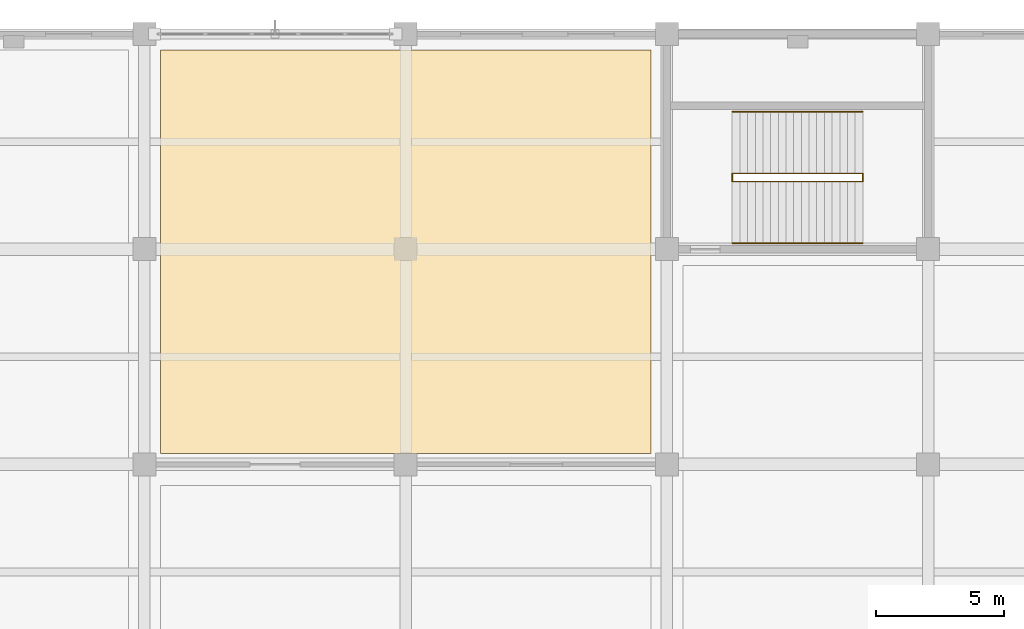
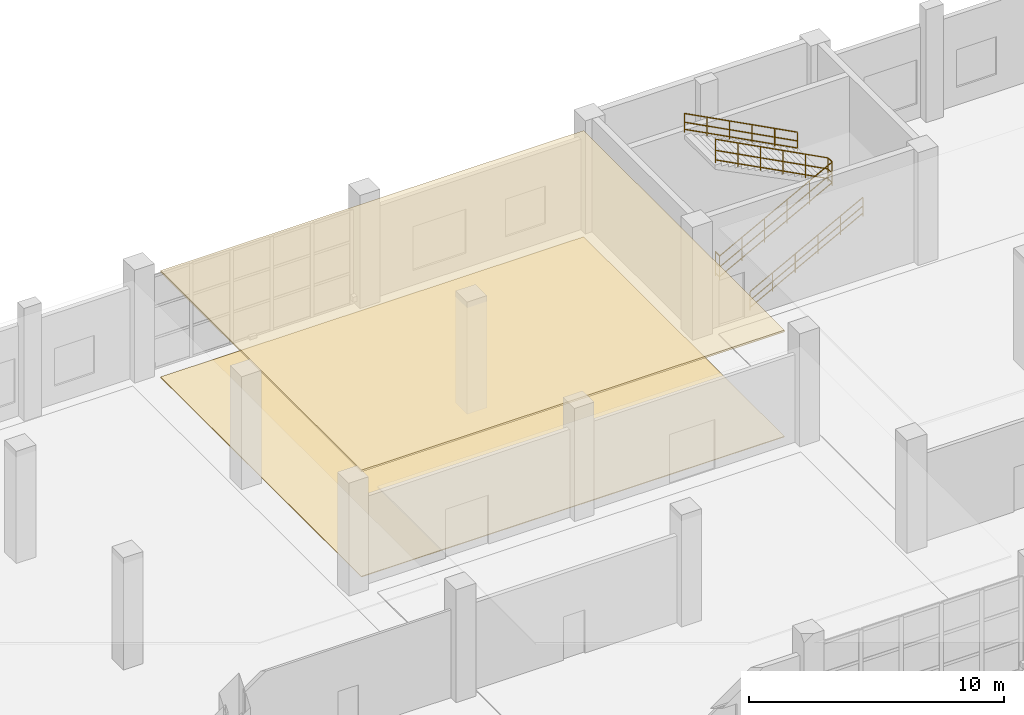
# One storey, part 174 of 175: 4 railings, 2 coverings.
"""IFC4 building model written with IfcOpenShell, lengths in metres."""

from ifc_helpers import new_model, si_unit, direction, frame, origin, origin_2d, place, context, subcontext, project, spatial, polyline, circle, outline, extrude, material, layer, layer_set, type_object, element, save


model = new_model("IFC4")

# Units and contexts
model_context = context("Model", 3, precision=1e-05, world=origin(), true_north=direction((0.0, 1.0)))
body_context = subcontext(model_context, "Body", "Model", "MODEL_VIEW")
ifc_project = project(units=[si_unit("LENGTHUNIT", "METRE"), si_unit("AREAUNIT", "SQUARE_METRE"), si_unit("VOLUMEUNIT", "CUBIC_METRE"), si_unit("PLANEANGLEUNIT", "RADIAN"), si_unit("MASSUNIT", "GRAM", prefix="KILO")], contexts=[model_context])

# Site, building, storey
site_placement = place(None, origin())
site = spatial("IfcSite", under=ifc_project, at=site_placement, CompositionType="ELEMENT")
building_placement = place(site_placement, origin())
building = spatial("IfcBuilding", under=site, at=building_placement, Name="Brelvane Convention Centre", CompositionType="ELEMENT")
storey_placement = place(building_placement, frame((0.0, 0.0, 5.39990234375)))
storey = spatial("IfcBuildingStorey", under=building, at=storey_placement, Name="L01", CompositionType="ELEMENT", Elevation=5.39990234375)

# Coverings
ifc_material_1 = material(Name="Perforated Anodised Aluminium Alloy 6063 Acoustic Baffle", Category="aluminium")
ifc_layer_1 = layer(ifc_material_1, 0.090087890625)
ifc_layer_set_1 = layer_set([ifc_layer_1], Name="Perforated Anodised Aluminium Alloy 6063 Acoustic Baffle")
covering_type_1 = type_object("IfcCoveringType", Name="Interior Finish CL-BAF-90", PredefinedType="CEILING", material=ifc_layer_set_1)
covering_1_placement = place(storey_placement, frame((0.0, 0.0, 5.030029296875)))
element("IfcCovering", 1, at=covering_1_placement, inside=storey, type_object=covering_type_1, Name="Meeting Room 205 Acoustic Ceiling (CL-BAF-90)", PredefinedType="CEILING", context=body_context, shape_type="SweptSolid", body=[
    extrude(outline(polyline([(72.030029296875, 127.6298828125), (91.169921875, 127.6298828125), (91.169921875, 143.3701171875), (72.030029296875, 143.3701171875), (72.030029296875, 127.6298828125)])), origin(), (0.0, 0.0, 1.0), 0.090087890625),
])
ifc_material_2 = material(Name="Heavy-Duty Quartz-Filled Industrial Epoxy Screed Grade A")
ifc_layer_2 = layer(ifc_material_2, 0.034912109375)
ifc_layer_set_2 = layer_set([ifc_layer_2], Name="Heavy-Duty Quartz-Filled Industrial Epoxy Screed Grade A")
covering_type_2 = type_object("IfcCoveringType", Name="Interior Finish FL-EPX-35", PredefinedType="FLOORING", material=ifc_layer_set_2)
covering_2_placement = place(storey_placement, origin())
element("IfcCovering", 2, at=covering_2_placement, inside=storey, type_object=covering_type_2, Name="Meeting Room 205 Floor Finish (FL-EPX-35)", PredefinedType="FLOORING", context=body_context, shape_type="SweptSolid", body=[
    extrude(outline(polyline([(72.030029296875, 127.6298828125), (91.169921875, 127.6298828125), (91.169921875, 143.3701171875), (72.030029296875, 143.3701171875), (72.030029296875, 127.6298828125)])), origin(), (0.0, 0.0, 1.0), 0.03515625),
])

# Railings
ifc_material_3 = material(Name="Steel E350 (350 MPa)", Category="steel")
railing_type_1 = type_object("IfcRailingType", Name="Stair Railing GR-ST-1", PredefinedType="GUARDRAIL", material=ifc_material_3)
railing_1_placement = place(storey_placement, frame((94.35009765625, 138.239990234375, -0.02001953125)))
element("IfcRailing", 3, at=railing_1_placement, inside=storey, type_object=railing_type_1, Name="Stair ST-12 L01 Inner Well Guard", PredefinedType="GUARDRAIL", context=body_context, shape_type="SweptSolid", body=[
    extrude(circle(Radius=0.02392578125, at=origin_2d()), frame((0.0, 0.0, 1.1259765625), z_axis=(0.882331893838, 0.0, 0.470627696929), x_axis=(0.0, 1.0, 0.0)), (0.0, 0.0, 1.0), 5.780029296875),
    extrude(circle(Radius=0.02392578125, at=origin_2d()), frame((0.0, 0.0, 0.597900390625), z_axis=(0.882331893838, 0.0, 0.470627696929), x_axis=(0.0, 1.0, 0.0)), (0.0, 0.0, 1.0), 5.780029296875),
    extrude(circle(Radius=0.02392578125, at=origin_2d()), frame((0.0, 0.0, 0.139892578125), z_axis=(0.882331893838, 0.0, 0.470627696929), x_axis=(0.0, 1.0, 0.0)), (0.0, 0.0, 1.0), 5.780029296875),
    extrude(circle(Radius=0.02392578125, at=origin_2d()), frame((5.099853515625, 0.0, 3.84619140625), z_axis=(0.0, 1.0, 0.0), x_axis=(-1.0, 0.0, 0.0)), (0.0, 0.0, 1.0), 0.320068359375),
    extrude(circle(Radius=0.02392578125, at=origin_2d()), frame((5.099853515625, 0.0, 3.318115234375), z_axis=(0.0, 1.0, 0.0), x_axis=(-1.0, 0.0, 0.0)), (0.0, 0.0, 1.0), 0.320068359375),
    extrude(circle(Radius=0.02392578125, at=origin_2d()), frame((5.099853515625, 0.0, 2.860107421875), z_axis=(0.0, 1.0, 0.0), x_axis=(-1.0, 0.0, 0.0)), (0.0, 0.0, 1.0), 0.320068359375),
    extrude(circle(Radius=0.02392578125, at=origin_2d()), frame((5.099853515625, 0.320068359375, 3.84619140625), z_axis=(-0.885218631674, 0.0, 0.465175207999), x_axis=(0.0, -1.0, 0.0)), (0.0, 0.0, 1.0), 5.76123046875),
    extrude(circle(Radius=0.02392578125, at=origin_2d()), frame((5.099853515625, 0.320068359375, 3.318115234375), z_axis=(-0.885218631674, 0.0, 0.465175207999), x_axis=(0.0, -1.0, 0.0)), (0.0, 0.0, 1.0), 5.76123046875),
    extrude(circle(Radius=0.02392578125, at=origin_2d()), frame((5.099853515625, 0.320068359375, 2.860107421875), z_axis=(-0.885218631674, 0.0, 0.465175207999), x_axis=(0.0, -1.0, 0.0)), (0.0, 0.0, 1.0), 5.76123046875),
    extrude(circle(Radius=0.02099609375, at=origin_2d()), origin(), (0.0, 0.0, 1.0), 1.101806640625),
    extrude(circle(Radius=0.02099609375, at=origin_2d()), frame((1.02001953125, 0.0, 0.5439453125)), (0.0, 0.0, 1.0), 1.101806640625),
    extrude(circle(Radius=0.02099609375, at=origin_2d()), frame((2.0400390625, 0.0, 1.088134765625)), (0.0, 0.0, 1.0), 1.101806640625),
    extrude(circle(Radius=0.02099609375, at=origin_2d()), frame((3.059814453125, 0.0, 1.632080078125)), (0.0, 0.0, 1.0), 1.101806640625),
    extrude(circle(Radius=0.02099609375, at=origin_2d()), frame((4.079833984375, 0.0, 2.17626953125)), (0.0, 0.0, 1.0), 1.101806640625),
    extrude(circle(Radius=0.02099609375, at=origin_2d()), frame((5.099853515625, 0.0, 2.72021484375)), (0.0, 0.0, 1.0), 1.101806640625),
    extrude(circle(Radius=0.02099609375, at=origin_2d()), frame((5.099853515625, 0.320068359375, 2.72021484375)), (0.0, 0.0, 1.0), 1.101806640625),
    extrude(circle(Radius=0.02099609375, at=origin_2d()), frame((4.079833984375, 0.320068359375, 3.256103515625)), (0.0, 0.0, 1.0), 1.101806640625),
    extrude(circle(Radius=0.02099609375, at=origin_2d()), frame((3.059814453125, 0.320068359375, 3.792236328125)), (0.0, 0.0, 1.0), 1.101806640625),
    extrude(circle(Radius=0.02099609375, at=origin_2d()), frame((2.0400390625, 0.320068359375, 4.328125)), (0.0, 0.0, 1.0), 1.101806640625),
    extrude(circle(Radius=0.02099609375, at=origin_2d()), frame((1.02001953125, 0.320068359375, 4.8642578125)), (0.0, 0.0, 1.0), 1.101806640625),
    extrude(circle(Radius=0.02099609375, at=origin_2d()), frame((0.0, 0.320068359375, 5.400146484375)), (0.0, 0.0, 1.0), 1.101806640625),
])
ifc_material_4 = material(Name="Steel E350 (350 MPa)", Category="steel")
railing_type_2 = type_object("IfcRailingType", Name="Stair Railing GR-ST-2", PredefinedType="GUARDRAIL", material=ifc_material_4)
railing_2_placement = place(storey_placement, frame((94.35009765625, 138.239990234375, -0.02001953125)))
element("IfcRailing", 4, at=railing_2_placement, inside=storey, type_object=railing_type_2, Name="Stair ST-12 L01 Landing Well Guard", PredefinedType="GUARDRAIL", context=body_context, shape_type="SweptSolid", body=[
    extrude(circle(Radius=0.02392578125, at=origin_2d()), frame((0.0, 0.0, 1.15576171875), z_axis=(0.0, 1.0, 0.0), x_axis=(-1.0, 0.0, 0.0)), (0.0, 0.0, 1.0), 0.320068359375),
    extrude(circle(Radius=0.02392578125, at=origin_2d()), frame((0.0, 0.0, 0.613525390625), z_axis=(0.0, 1.0, 0.0), x_axis=(-1.0, 0.0, 0.0)), (0.0, 0.0, 1.0), 0.320068359375),
    extrude(circle(Radius=0.02392578125, at=origin_2d()), frame((0.0, 0.0, 0.139892578125), z_axis=(0.0, 1.0, 0.0), x_axis=(-1.0, 0.0, 0.0)), (0.0, 0.0, 1.0), 0.320068359375),
    extrude(circle(Radius=0.02099609375, at=origin_2d()), origin(), (0.0, 0.0, 1.0), 1.1318359375),
    extrude(circle(Radius=0.02099609375, at=origin_2d()), frame((0.0, 0.320068359375, 0.0)), (0.0, 0.0, 1.0), 1.1318359375),
])
ifc_material_5 = material(Name="Steel E350 (350 MPa)", Category="steel")
railing_type_3 = type_object("IfcRailingType", Name="Stair Railing HR-ST-1", PredefinedType="HANDRAIL", material=ifc_material_5)
railing_3_placement = place(storey_placement, frame((94.35009765625, 135.830078125, -0.02001953125)))
element("IfcRailing", 5, at=railing_3_placement, inside=storey, type_object=railing_type_3, Name="Stair ST-12 L01 Outer Handrail F1", PredefinedType="HANDRAIL", context=body_context, shape_type="SweptSolid", body=[
    extrude(circle(Radius=0.02392578125, at=origin_2d()), frame((0.0, 0.0, 0.89599609375), z_axis=(0.882331893838, 0.0, 0.470627696929), x_axis=(0.0, 1.0, 0.0)), (0.0, 0.0, 1.0), 5.780029296875),
    extrude(circle(Radius=0.02392578125, at=origin_2d()), frame((0.0, 0.0, 0.478271484375), z_axis=(0.882331893838, 0.0, 0.470627696929), x_axis=(0.0, 1.0, 0.0)), (0.0, 0.0, 1.0), 5.780029296875),
    extrude(circle(Radius=0.02392578125, at=origin_2d()), frame((0.0, 0.0, 0.139892578125), z_axis=(0.882331893838, 0.0, 0.470627696929), x_axis=(0.0, 1.0, 0.0)), (0.0, 0.0, 1.0), 5.780029296875),
    extrude(circle(Radius=0.02099609375, at=origin_2d()), origin(), (0.0, 0.0, 1.0), 0.871826171875),
    extrude(circle(Radius=0.02099609375, at=origin_2d()), frame((1.02001953125, 0.0, 0.5439453125)), (0.0, 0.0, 1.0), 0.871826171875),
    extrude(circle(Radius=0.02099609375, at=origin_2d()), frame((2.0400390625, 0.0, 1.088134765625)), (0.0, 0.0, 1.0), 0.871826171875),
    extrude(circle(Radius=0.02099609375, at=origin_2d()), frame((3.059814453125, 0.0, 1.632080078125)), (0.0, 0.0, 1.0), 0.871826171875),
    extrude(circle(Radius=0.02099609375, at=origin_2d()), frame((4.079833984375, 0.0, 2.17626953125)), (0.0, 0.0, 1.0), 0.871826171875),
    extrude(circle(Radius=0.02099609375, at=origin_2d()), frame((5.099853515625, 0.0, 2.72021484375)), (0.0, 0.0, 1.0), 0.871826171875),
])
railing_4_placement = place(storey_placement, frame((99.449951171875, 140.969970703125, 2.7001953125)))
element("IfcRailing", 6, at=railing_4_placement, inside=storey, type_object=railing_type_3, Name="Stair ST-12 L01 Outer Handrail F2", PredefinedType="HANDRAIL", context=body_context, shape_type="SweptSolid", body=[
    extrude(circle(Radius=0.02392578125, at=origin_2d()), frame((0.0, 0.0, 0.89599609375), z_axis=(-0.885218631674, 0.0, 0.465175207999), x_axis=(0.0, -1.0, 0.0)), (0.0, 0.0, 1.0), 5.76123046875),
    extrude(circle(Radius=0.02392578125, at=origin_2d()), frame((0.0, 0.0, 0.478271484375), z_axis=(-0.885218631674, 0.0, 0.465175207999), x_axis=(0.0, -1.0, 0.0)), (0.0, 0.0, 1.0), 5.76123046875),
    extrude(circle(Radius=0.02392578125, at=origin_2d()), frame((0.0, 0.0, 0.139892578125), z_axis=(-0.885218631674, 0.0, 0.465175207999), x_axis=(0.0, -1.0, 0.0)), (0.0, 0.0, 1.0), 5.76123046875),
    extrude(circle(Radius=0.02099609375, at=origin_2d()), origin(), (0.0, 0.0, 1.0), 0.871826171875),
    extrude(circle(Radius=0.02099609375, at=origin_2d()), frame((-1.02001953125, 0.0, 0.535888671875)), (0.0, 0.0, 1.0), 0.871826171875),
    extrude(circle(Radius=0.02099609375, at=origin_2d()), frame((-2.0400390625, 0.0, 1.072021484375)), (0.0, 0.0, 1.0), 0.871826171875),
    extrude(circle(Radius=0.02099609375, at=origin_2d()), frame((-3.059814453125, 0.0, 1.60791015625)), (0.0, 0.0, 1.0), 0.871826171875),
    extrude(circle(Radius=0.02099609375, at=origin_2d()), frame((-4.079833984375, 0.0, 2.14404296875)), (0.0, 0.0, 1.0), 0.871826171875),
    extrude(circle(Radius=0.02099609375, at=origin_2d()), frame((-5.099853515625, 0.0, 2.679931640625)), (0.0, 0.0, 1.0), 0.871826171875),
])

save(model, "model.ifc")
